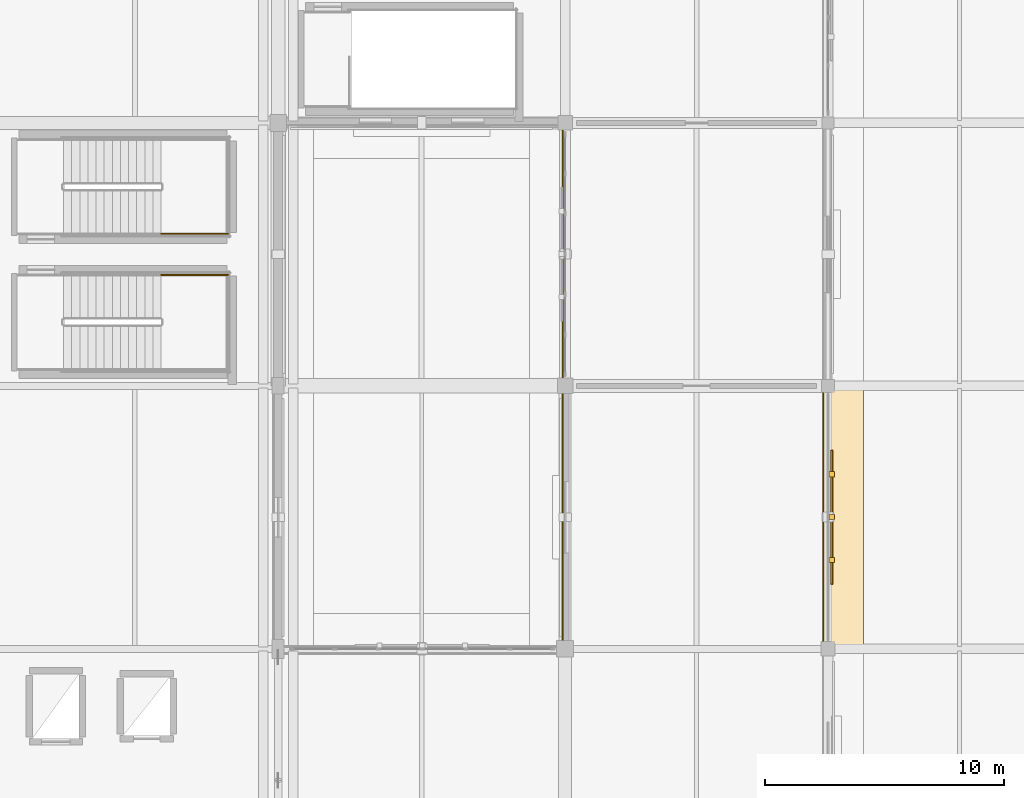
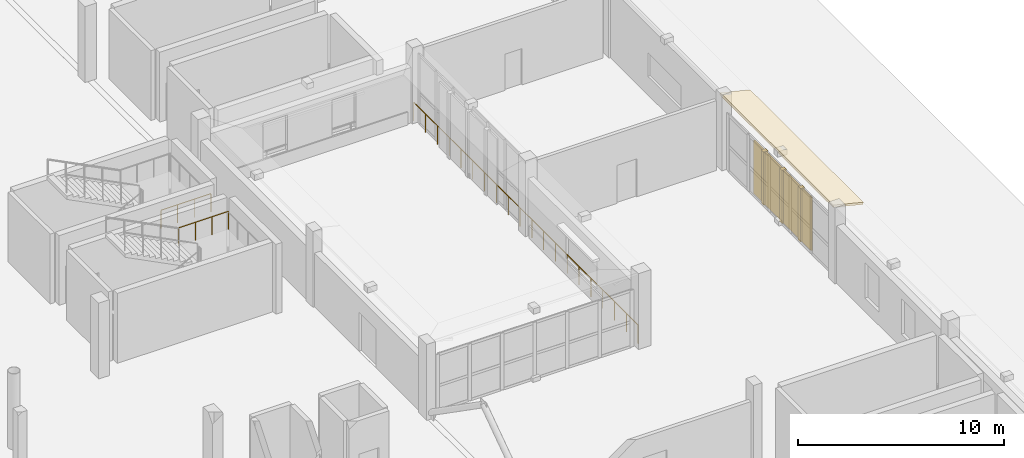
# One storey, part 114 of 118: 4 coverings, 3 railings, 1 shading device.
"""IFC4 building model written with IfcOpenShell, lengths in metres."""

from ifc_helpers import new_model, si_unit, direction, frame, origin, origin_2d, place, context, subcontext, project, spatial, polyline, rectangle, circle, outline, extrude, material, layer, layer_set, type_object, element, save


model = new_model("IFC4")

# Units and contexts
model_context = context("Model", 3, precision=1e-05, world=origin(), true_north=direction((0.0, 1.0)))
body_context = subcontext(model_context, "Body", "Model", "MODEL_VIEW")
ifc_project = project(units=[si_unit("LENGTHUNIT", "METRE"), si_unit("AREAUNIT", "SQUARE_METRE"), si_unit("VOLUMEUNIT", "CUBIC_METRE"), si_unit("PLANEANGLEUNIT", "RADIAN"), si_unit("MASSUNIT", "GRAM", prefix="KILO")], contexts=[model_context])

# Site, building, storey
site_placement = place(None, origin())
site = spatial("IfcSite", under=ifc_project, at=site_placement, CompositionType="ELEMENT")
building_placement = place(site_placement, origin())
building = spatial("IfcBuilding", under=site, at=building_placement, Name="Luwafu Chhajja Arena", CompositionType="ELEMENT")
storey_placement = place(building_placement, frame((0.0, 0.0, 10.199951171875)))
storey = spatial("IfcBuildingStorey", under=building, at=storey_placement, Name="L02", CompositionType="ELEMENT", Elevation=10.199951171875)

# Coverings
ifc_material_1 = material(Name="Red laterite sandstone cladding", Category="masonry")
ifc_layer_1 = layer(ifc_material_1, 0.074951171875, Name="Red laterite sandstone cladding")
ifc_layer_set_1 = layer_set([ifc_layer_1], Name="Red laterite sandstone cladding")
covering_type = type_object("IfcCoveringType", Name="Dressed Red-Laterite Sandstone Cladding", PredefinedType="CLADDING", material=ifc_layer_set_1)
covering_placement = place(storey_placement, frame((186.800048828125, 33.0, 4.4599609375), z_axis=(0.242502450825, 0.0, 0.970150793096), x_axis=(0.0, 1.0, 0.0)))
element("IfcCovering", 1, at=covering_placement, inside=storey, type_object=covering_type, Name="L02 Continuous Sloped Sandstone Chhajja Eave 0172", PredefinedType="CLADDING", context=body_context, shape_type="SweptSolid", body=[
    extrude(outline(polyline([(0.0, 0.0), (11.0, 0.0), (11.0, -1.731619097341133), (0.0, -1.731619097341133), (0.0, 0.0)])), origin(), (0.0, 0.0, -1.0), 0.1298828125),
])
for number, where, z_axis, x_axis, name in (
    (2, (187.14990234375, 36.720458984375, 0.0), (0.0, 0.0, 1.0), (0.0, 1.0, 0.0), "L02 Sandstone Jali Mullion Fin 043"),
    (3, (187.14990234375, 38.512451171875, 0.0), (0.0, 0.0, 1.0), (0.0, 1.0, 0.0), "L02 Sandstone Jali Mullion Fin 043"),
    (4, (187.14990234375, 40.304443359375, 0.0), (0.0, 0.0, 1.0), (0.0, 1.0, 0.0), "L02 Sandstone Jali Mullion Fin 043"),
):
    element("IfcCovering", number, at=place(storey_placement, frame(where, z_axis=z_axis, x_axis=x_axis)), inside=storey, type_object=covering_type, Name=name, PredefinedType="CLADDING", context=body_context, shape_type="SweptSolid", body=[
        extrude(rectangle(XDim=0.219970703125, YDim=0.239990234375, at=origin_2d()), origin(), (0.0, 0.0, 1.0), 3.155029296875),
    ])

# Shading device
ifc_material_2 = material(Name="Pierced buff sandstone jali", Category="masonry")
ifc_layer_2 = layer(ifc_material_2, 0.080078125, Name="Pierced buff sandstone jali")
ifc_layer_set_2 = layer_set([ifc_layer_2], Name="Pierced buff sandstone jali")
shading_device_type = type_object("IfcShadingDeviceType", Name="Pierced Buff-Sandstone Jali Screen", PredefinedType="JALOUSIE", material=ifc_layer_set_2)
shading_device_placement = place(storey_placement, frame((187.14990234375, 38.512451171875, 0.0), z_axis=(0.0, 0.0, 1.0), x_axis=(0.0, 1.0, 0.0)))
element("IfcShadingDevice", 5, at=shading_device_placement, inside=storey, type_object=shading_device_type, Name="L02 Pierced Buff-Sandstone Jali Screen 043", PredefinedType="JALOUSIE", context=body_context, shape_type="SweptSolid", body=[
    extrude(rectangle(XDim=5.60009765625, YDim=0.080078125, at=origin_2d()), origin(), (0.0, 0.0, 1.0), 3.155029296875),
])

# Railings
ifc_material_3 = material(Name="Stainless steel balustrade", Category="steel")
railing_type = type_object("IfcRailingType", Name="Stair and Terrace Guard Balustrade 1100", PredefinedType="BALUSTRADE", material=ifc_material_3)
for number, where, name in (
    (6, (159.10009765625, 48.639892578125, 2.25), "L02 ST-11 stair guard 4"),
    (7, (159.10009765625, 50.360107421875, 2.25), "L02 ST-12 stair guard 3"),
):
    element("IfcRailing", number, at=place(storey_placement, frame(where)), inside=storey, type_object=railing_type, Name=name, PredefinedType="BALUSTRADE", context=body_context, shape_type="SweptSolid", body=[
        extrude(circle(Radius=0.02392578125, at=origin_2d()), frame((0.0, 0.0, 1.076171875), z_axis=(1.0, 0.0, 0.0), x_axis=(0.0, 1.0, 0.0)), (0.0, 0.0, 1.0), 2.7998046875),
        extrude(circle(Radius=0.02099609375, at=origin_2d()), origin(), (0.0, 0.0, 1.0), 1.052001953125),
        extrude(circle(Radius=0.02099609375, at=origin_2d()), frame((0.933349609375, 0.0, 0.0)), (0.0, 0.0, 1.0), 1.052001953125),
        extrude(circle(Radius=0.02099609375, at=origin_2d()), frame((1.866455078125, 0.0, 0.0)), (0.0, 0.0, 1.0), 1.052001953125),
        extrude(circle(Radius=0.02099609375, at=origin_2d()), frame((2.7998046875, 0.0, 0.0)), (0.0, 0.0, 1.0), 1.052001953125),
    ])
railing_placement = place(storey_placement, frame((175.89990234375, 33.10009765625, 0.0)))
element("IfcRailing", 8, at=railing_placement, inside=storey, type_object=railing_type, Name="L02 Podium Terrace Balustrade 0005", PredefinedType="BALUSTRADE", context=body_context, shape_type="SweptSolid", body=[
    extrude(circle(Radius=0.02392578125, at=origin_2d()), frame((0.0, 0.0, 1.09619140625), z_axis=(0.0, 1.0, 0.0), x_axis=(-1.0, 0.0, 0.0)), (0.0, 0.0, 1.0), 21.7998046875),
    extrude(circle(Radius=0.02099609375, at=origin_2d()), origin(), (0.0, 0.0, 1.0), 1.072021484375),
    extrude(circle(Radius=0.02099609375, at=origin_2d()), frame((0.0, 1.1474609375, 0.0)), (0.0, 0.0, 1.0), 1.072021484375),
    extrude(circle(Radius=0.02099609375, at=origin_2d()), frame((0.0, 2.294677734375, 0.0)), (0.0, 0.0, 1.0), 1.072021484375),
    extrude(circle(Radius=0.02099609375, at=origin_2d()), frame((0.0, 3.442138671875, 0.0)), (0.0, 0.0, 1.0), 1.072021484375),
    extrude(circle(Radius=0.02099609375, at=origin_2d()), frame((0.0, 4.58935546875, 0.0)), (0.0, 0.0, 1.0), 1.072021484375),
    extrude(circle(Radius=0.02099609375, at=origin_2d()), frame((0.0, 5.73681640625, 0.0)), (0.0, 0.0, 1.0), 1.072021484375),
    extrude(circle(Radius=0.02099609375, at=origin_2d()), frame((0.0, 6.884033203125, 0.0)), (0.0, 0.0, 1.0), 1.072021484375),
    extrude(circle(Radius=0.02099609375, at=origin_2d()), frame((0.0, 8.031494140625, 0.0)), (0.0, 0.0, 1.0), 1.072021484375),
    extrude(circle(Radius=0.02099609375, at=origin_2d()), frame((0.0, 9.178955078125, 0.0)), (0.0, 0.0, 1.0), 1.072021484375),
    extrude(circle(Radius=0.02099609375, at=origin_2d()), frame((0.0, 10.326171875, 0.0)), (0.0, 0.0, 1.0), 1.072021484375),
    extrude(circle(Radius=0.02099609375, at=origin_2d()), frame((0.0, 11.4736328125, 0.0)), (0.0, 0.0, 1.0), 1.072021484375),
    extrude(circle(Radius=0.02099609375, at=origin_2d()), frame((0.0, 12.620849609375, 0.0)), (0.0, 0.0, 1.0), 1.072021484375),
    extrude(circle(Radius=0.02099609375, at=origin_2d()), frame((0.0, 13.768310546875, 0.0)), (0.0, 0.0, 1.0), 1.072021484375),
    extrude(circle(Radius=0.02099609375, at=origin_2d()), frame((0.0, 14.915771484375, 0.0)), (0.0, 0.0, 1.0), 1.072021484375),
    extrude(circle(Radius=0.02099609375, at=origin_2d()), frame((0.0, 16.06298828125, 0.0)), (0.0, 0.0, 1.0), 1.072021484375),
    extrude(circle(Radius=0.02099609375, at=origin_2d()), frame((0.0, 17.21044921875, 0.0)), (0.0, 0.0, 1.0), 1.072021484375),
    extrude(circle(Radius=0.02099609375, at=origin_2d()), frame((0.0, 18.357666015625, 0.0)), (0.0, 0.0, 1.0), 1.072021484375),
    extrude(circle(Radius=0.02099609375, at=origin_2d()), frame((0.0, 19.505126953125, 0.0)), (0.0, 0.0, 1.0), 1.072021484375),
    extrude(circle(Radius=0.02099609375, at=origin_2d()), frame((0.0, 20.65234375, 0.0)), (0.0, 0.0, 1.0), 1.072021484375),
    extrude(circle(Radius=0.02099609375, at=origin_2d()), frame((0.0, 21.7998046875, 0.0)), (0.0, 0.0, 1.0), 1.072021484375),
])

save(model, "model.ifc")
